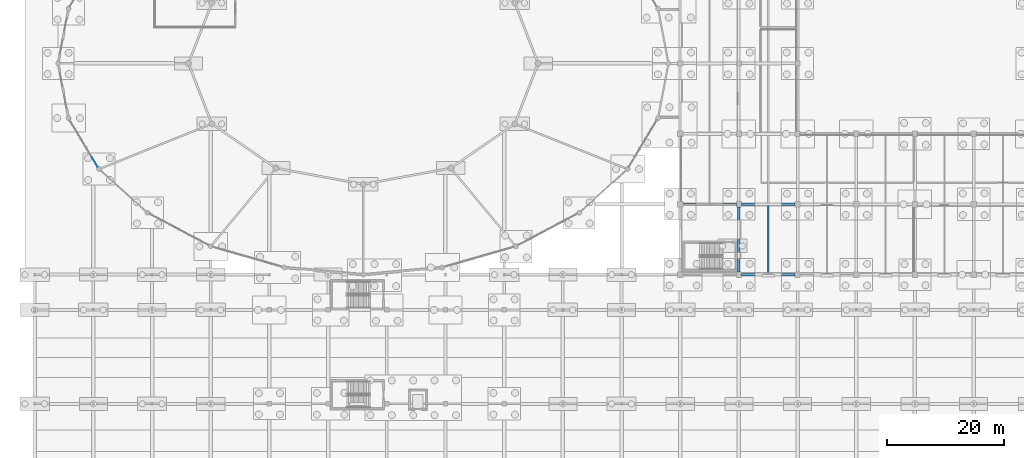
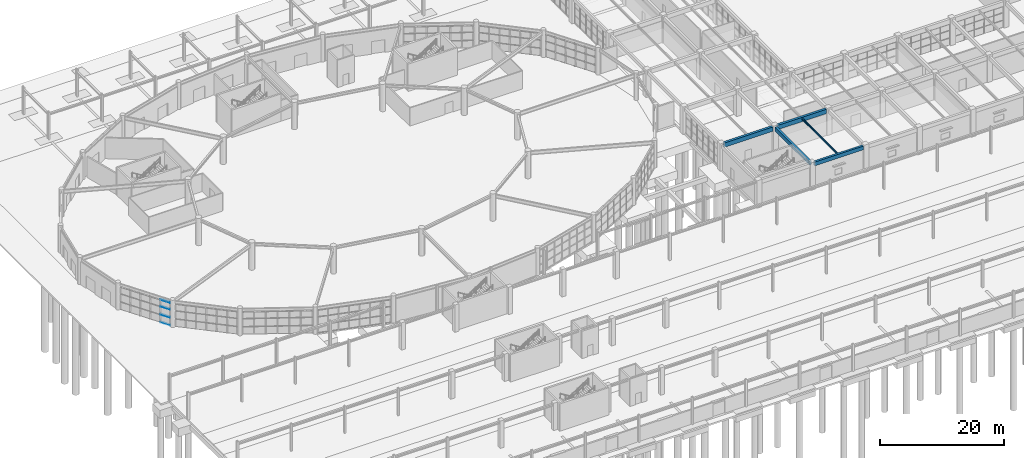
# One storey, part 38 of 99: 5 beams, 4 members, 1 element without a shape of its own.
"""IFC4 building model written with IfcOpenShell, lengths in metres."""

from ifc_helpers import new_model, si_unit, direction, frame, origin, origin_2d, place, context, subcontext, project, spatial, rectangle, i_section, extrude, material, layer, layer_set, material_profile, profile_set, type_object, element, aggregate, save


model = new_model("IFC4")

# Units and contexts
model_context = context("Model", 3, precision=1e-05, world=origin(), true_north=direction((0.0, 1.0)))
body_context = subcontext(model_context, "Body", "Model", "MODEL_VIEW")
ifc_project = project(units=[si_unit("LENGTHUNIT", "METRE"), si_unit("AREAUNIT", "SQUARE_METRE"), si_unit("VOLUMEUNIT", "CUBIC_METRE"), si_unit("PLANEANGLEUNIT", "RADIAN"), si_unit("MASSUNIT", "GRAM", prefix="KILO")], contexts=[model_context])

# Site, building, storey
site_placement = place(None, origin())
site = spatial("IfcSite", under=ifc_project, at=site_placement, CompositionType="ELEMENT")
building_placement = place(site_placement, origin())
building = spatial("IfcBuilding", under=site, at=building_placement, Name="Kivolera Central Railway Station", CompositionType="ELEMENT")
storey_placement = place(building_placement, origin())
storey = spatial("IfcBuildingStorey", under=building, at=storey_placement, Name="L00", CompositionType="ELEMENT", Elevation=0.0)

# Beams
ifc_material_1 = material(Name="Steel S355", Category="steel")
ifc_material_profile_1 = material_profile(ifc_material_1, i_section(OverallWidth=0.179931640625, OverallDepth=0.39990234375, WebThickness=0.008544921875, FlangeThickness=0.013427734375, FilletRadius=0.02099609375, at=origin_2d()), Name="IPE 400")
ifc_profile_set_1 = profile_set([ifc_material_profile_1], Name="Steel S355")
beam_type_1 = type_object("IfcBeamType", Name="BM-JST-IPE400", PredefinedType="JOIST", material=ifc_profile_set_1)
beam_1_placement = place(storey_placement, frame((133.0, 54.19189453125, 4.907958984375), z_axis=(0.0, 1.0, 0.0), x_axis=(-1.0, 0.0, 0.0)))
element("IfcBeam", 1, at=beam_1_placement, inside=storey, type_object=beam_type_1, Name="L00 Floor Joist 13-14/E-F", PredefinedType="JOIST", context=body_context, shape_type="SweptSolid", body=[
    extrude(i_section(OverallWidth=0.179931640625, OverallDepth=0.39990234375, WebThickness=0.008544921875, FlangeThickness=0.013427734375, FilletRadius=0.02099609375, at=origin_2d()), origin(), (0.0, 0.0, 1.0), 11.591064453125),
])
ifc_material_2 = material(Name="Concrete C40/50", Category="concrete")
ifc_material_profile_2 = material_profile(ifc_material_2, rectangle(XDim=0.39990234375, YDim=0.75, at=origin_2d()), Name="RC 400x750")
ifc_profile_set_2 = profile_set([ifc_material_profile_2], Name="Concrete C40/50")
beam_type_2 = type_object("IfcBeamType", Name="BM-RC-400x750", PredefinedType="BEAM", material=ifc_profile_set_2)
beam_2_placement = place(storey_placement, frame((128.0, 54.44189453125, 4.7451171875), z_axis=(0.0, 1.0, 0.0), x_axis=(-1.0, 0.0, 0.0)))
element("IfcBeam", 2, at=beam_2_placement, inside=storey, type_object=beam_type_2, Name="L00 Wing Y-Beam 13:E-F", PredefinedType="BEAM", context=body_context, shape_type="SweptSolid", body=[
    extrude(rectangle(XDim=0.39990234375, YDim=0.75, at=origin_2d()), origin(), (0.0, 0.0, 1.0), 11.1162109375),
])
ifc_material_profile_3 = material_profile(ifc_material_2, rectangle(XDim=0.449951171875, YDim=0.85009765625, at=origin_2d()), Name="RC 450x850")
ifc_profile_set_3 = profile_set([ifc_material_profile_3], Name="Concrete C40/50")
beam_type_3 = type_object("IfcBeamType", Name="BM-RC-450x850", PredefinedType="BEAM", material=ifc_profile_set_3)
for number, where, z_axis, x_axis, name in (
    (3, (118.44189453125, 66.0, 4.695068359375), (1.0, 0.0, 0.0), (0.0, 1.0, 0.0), "L00 Wing X-Beam F:12-13"),
    (4, (128.44189453125, 66.0, 4.695068359375), (1.0, 0.0, 0.0), (0.0, 1.0, 0.0), "L00 Wing X-Beam F:13-14"),
):
    element("IfcBeam", number, at=place(storey_placement, frame(where, z_axis=z_axis, x_axis=x_axis)), inside=storey, type_object=beam_type_3, Name=name, PredefinedType="BEAM", context=body_context, shape_type="SweptSolid", body=[
        extrude(rectangle(XDim=0.449951171875, YDim=0.85009765625, at=origin_2d()), origin(), (0.0, 0.0, 1.0), 9.1162109375),
    ])
ifc_material_profile_4 = material_profile(ifc_material_2, rectangle(XDim=0.39990234375, YDim=0.75, at=origin_2d()), Name="RC 400x750")
ifc_profile_set_4 = profile_set([ifc_material_profile_4], Name="Concrete C40/50")
beam_type_4 = type_object("IfcBeamType", Name="BM-SPN-RC750", PredefinedType="SPANDREL", material=ifc_profile_set_4)
beam_3_placement = place(storey_placement, frame((128.44189453125, 54.0, 4.7451171875), z_axis=(1.0, 0.0, 0.0), x_axis=(0.0, 1.0, 0.0)))
element("IfcBeam", 5, at=beam_3_placement, inside=storey, type_object=beam_type_4, Name="L00 Wing X-Beam E:13-14", PredefinedType="SPANDREL", context=body_context, shape_type="SweptSolid", body=[
    extrude(rectangle(XDim=0.39990234375, YDim=0.75, at=origin_2d()), origin(), (0.0, 0.0, 1.0), 9.1162109375),
])

# Curtain wall, members
ifc_material_3 = material(Name="Anodised aluminium", Category="aluminium")
ifc_layer = layer(ifc_material_3, 0.179931640625, Name="Anodised aluminium")
ifc_layer_set = layer_set([ifc_layer], Name="Anodised aluminium")
curtain_wall_type = type_object("IfcCurtainWallType", Name="CW-SYS-01", PredefinedType="NOTDEFINED", material=ifc_layer_set)
curtain_wall_placement = place(storey_placement, origin())
curtain_wall = element("IfcCurtainWall", 6, at=curtain_wall_placement, inside=storey, type_object=curtain_wall_type, Name="L00 Curtain Wall CW-L00-OVL-13", PredefinedType="NOTDEFINED")
ifc_material_profile_5 = material_profile(ifc_material_3, rectangle(XDim=0.070068359375, YDim=0.139892578125, at=origin_2d()), Name="ALU TRAN 70x140")
ifc_profile_set_5 = profile_set([ifc_material_profile_5], Name="Anodised aluminium")
member_type = type_object("IfcMemberType", Name="CWM-TRN-1", PredefinedType="USERDEFINED", material=ifc_profile_set_5)
member_1_placement = place(storey_placement, frame((18.72607421875, 72.403076171875, 0.034912109375), z_axis=(-0.513454309114, 0.85811693402, 0.0), x_axis=(-0.85811693402, -0.513454309114, 0.0)))
member_1 = element("IfcMember", 7, at=member_1_placement, type_object=member_type, Name="CW-01 transom 1.1", ObjectType="TRANSOM", PredefinedType="USERDEFINED", context=body_context, shape_type="SweptSolid", body=[
    extrude(rectangle(XDim=0.070068359375, YDim=0.139892578125, at=origin_2d()), origin(), (0.0, 0.0, 1.0), 1.7587890625),
])
member_2_placement = place(storey_placement, frame((18.72607421875, 72.403076171875, 1.592529296875), z_axis=(-0.513454309114, 0.85811693402, 0.0), x_axis=(-0.85811693402, -0.513454309114, 0.0)))
member_2 = element("IfcMember", 8, at=member_2_placement, type_object=member_type, Name="CW-01 transom 1.2", ObjectType="TRANSOM", PredefinedType="USERDEFINED", context=body_context, shape_type="SweptSolid", body=[
    extrude(rectangle(XDim=0.070068359375, YDim=0.139892578125, at=origin_2d()), origin(), (0.0, 0.0, 1.0), 1.7587890625),
])
member_3_placement = place(storey_placement, frame((18.72607421875, 72.403076171875, 3.18505859375), z_axis=(-0.513454309114, 0.85811693402, 0.0), x_axis=(-0.85811693402, -0.513454309114, 0.0)))
member_3 = element("IfcMember", 9, at=member_3_placement, type_object=member_type, Name="CW-01 transom 1.3", ObjectType="TRANSOM", PredefinedType="USERDEFINED", context=body_context, shape_type="SweptSolid", body=[
    extrude(rectangle(XDim=0.070068359375, YDim=0.139892578125, at=origin_2d()), origin(), (0.0, 0.0, 1.0), 1.7587890625),
])
member_4_placement = place(storey_placement, frame((18.72607421875, 72.403076171875, 4.514892578125), z_axis=(-0.513454309114, 0.85811693402, 0.0), x_axis=(-0.85811693402, -0.513454309114, 0.0)))
member_4 = element("IfcMember", 10, at=member_4_placement, type_object=member_type, Name="CW-01 transom 1.4", ObjectType="TRANSOM", PredefinedType="USERDEFINED", context=body_context, shape_type="SweptSolid", body=[
    extrude(rectangle(XDim=0.070068359375, YDim=0.139892578125, at=origin_2d()), origin(), (0.0, 0.0, 1.0), 1.7587890625),
])
aggregate(curtain_wall, [member_1, member_2, member_3, member_4])

save(model, "model.ifc")
